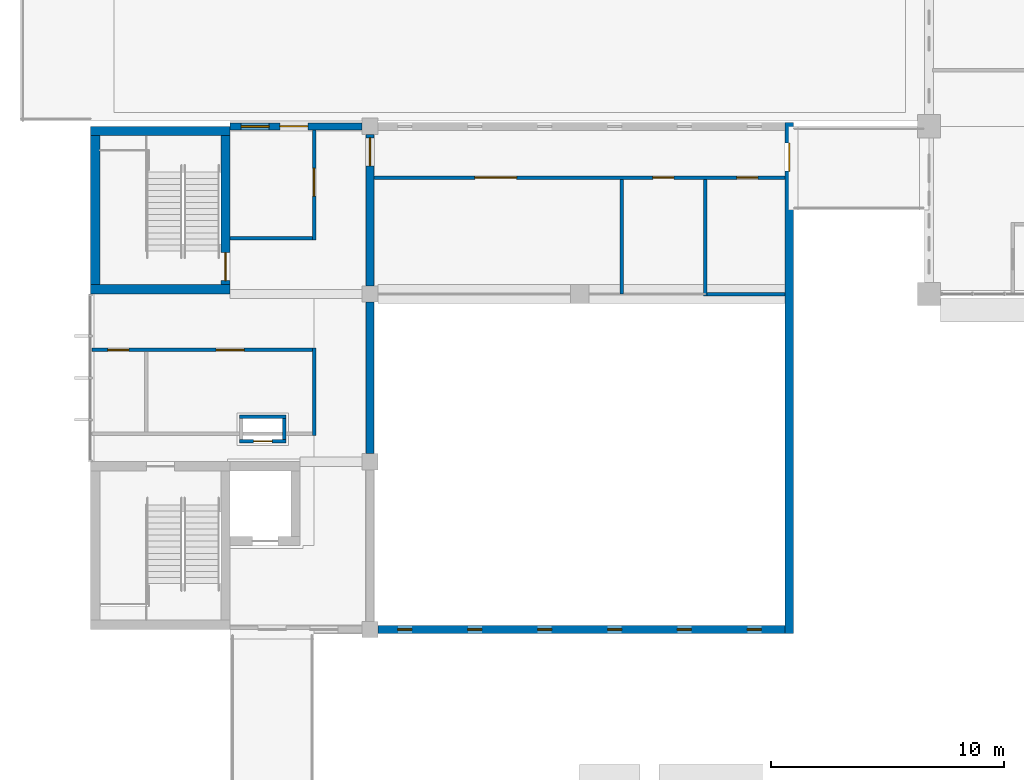
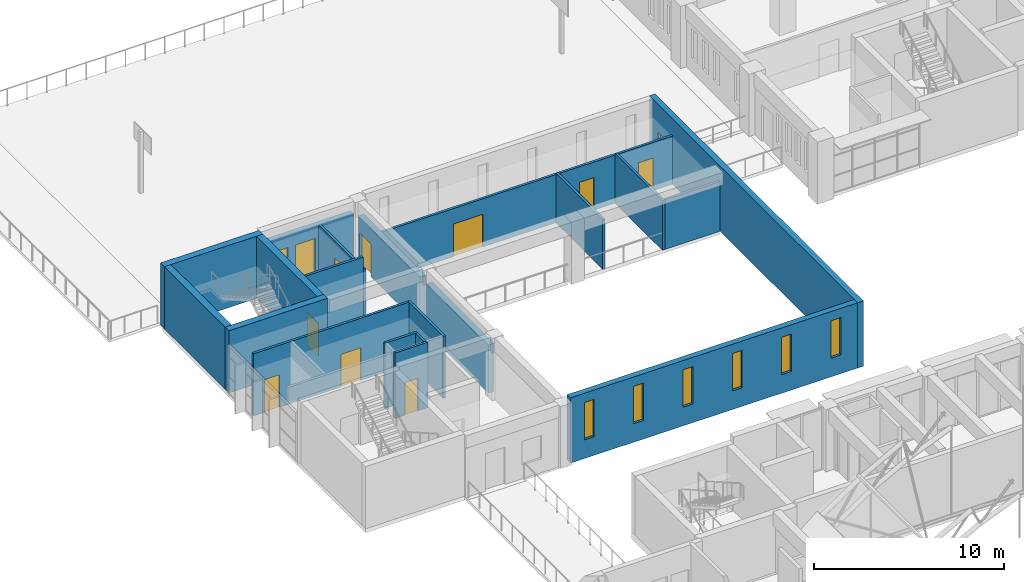
# One storey, part 72 of 101: 20 walls, 11 doors, 7 windows, 18 openings.
"""IFC4 building model written with IfcOpenShell, lengths in metres."""

from ifc_helpers import new_model, si_unit, direction, frame, frame_2d, origin, place, context, subcontext, project, spatial, rectangle, extrude, material, layer, layer_set, type_object, element, fill, save


model = new_model("IFC4")

# Units and contexts
model_context = context("Model", 3, precision=1e-05, world=origin(), true_north=direction((0.0, 1.0)))
body_context = subcontext(model_context, "Body", "Model", "MODEL_VIEW")
ifc_project = project(units=[si_unit("LENGTHUNIT", "METRE"), si_unit("AREAUNIT", "SQUARE_METRE"), si_unit("VOLUMEUNIT", "CUBIC_METRE"), si_unit("PLANEANGLEUNIT", "RADIAN"), si_unit("MASSUNIT", "GRAM", prefix="KILO")], contexts=[model_context])

# Site, building, storey
site_placement = place(None, origin())
site = spatial("IfcSite", under=ifc_project, at=site_placement, CompositionType="ELEMENT")
building_placement = place(site_placement, origin())
building = spatial("IfcBuilding", under=site, at=building_placement, Name="Laocheng Heights Fire and Rescue Headquarters", CompositionType="ELEMENT")
storey_placement = place(building_placement, frame((0.0, 0.0, 8.39990234375)))
storey = spatial("IfcBuildingStorey", under=building, at=storey_placement, Name="L02", CompositionType="ELEMENT", Elevation=8.39990234375)

# Wall
ifc_material_1 = material(Name="Gypsum plaster")
ifc_layer_1 = layer(ifc_material_1, 0.010009765625, Name="PLASTER", Category="plaster")
ifc_material_2 = material(Name="Concrete blockwork MU10", Category="masonry")
ifc_layer_2 = layer(ifc_material_2, 0.1298828125, Name="BLOCKWORK", Category="masonry")
ifc_layer_3 = layer(ifc_material_1, 0.010009765625, Name="PLASTER", Category="plaster")
ifc_layer_set_1 = layer_set([ifc_layer_1, ifc_layer_2, ifc_layer_3], Name="Concrete blockwork MU10")
wall_type_1 = type_object("IfcWallType", Name="BLOCKWORK CORRIDOR WALL 150 EI 60 PAVILION", PredefinedType="PARTITIONING", material=ifc_layer_set_1)
wall_1_placement = place(storey_placement, frame((9.60009765625, 44.324951171875, 0.0), z_axis=(0.0, 0.0, 1.0), x_axis=(0.0, 1.0, 0.0)))
element("IfcWall", 1, at=wall_1_placement, inside=storey, type_object=wall_type_1, Name="Partition L02-002", PredefinedType="PARTITIONING", context=body_context, shape_type="SweptSolid", body=[
    extrude(rectangle(XDim=3.75, YDim=0.14990234375, at=frame_2d((1.875, 0.0))), origin(), (0.0, 0.0, 1.0), 4.0),
])

# Wall, opening, door
wall_2_placement = place(storey_placement, frame((9.60009765625, 52.72509765625, 0.0), z_axis=(0.0, 0.0, 1.0), x_axis=(0.0, 1.0, 0.0)))
wall_2 = element("IfcWall", 2, at=wall_2_placement, inside=storey, type_object=wall_type_1, Name="Partition L02-003", PredefinedType="PARTITIONING", context=body_context, shape_type="SweptSolid", body=[
    extrude(rectangle(XDim=4.724853515625, YDim=0.14990234375, at=frame_2d((2.3623046875, 0.0))), origin(), (0.0, 0.0, 1.0), 3.2001953125),
])
opening_1_placement = place(wall_2_placement, frame((1.875, 0.0, 0.0)))
opening_1 = element("IfcOpeningElement", 3, at=opening_1_placement, cuts=wall_2, Name="Opening L02-P01", PredefinedType="OPENING", context=body_context, shape_type="SweptSolid", body=[
    extrude(rectangle(XDim=1.199951171875, YDim=2.10009765625, at=frame_2d((0.60009765625, 1.050048828125))), frame((0.0, 0.0849609375, 0.0), z_axis=(0.0, -1.0, 0.0), x_axis=(1.0, 0.0, 0.0)), (0.0, 0.0, 1.0), 0.169921875),
])
ifc_material_3 = material(Name="Timber door leaf, veneered", Category="wood")
door_type_1 = type_object("IfcDoorType", Name="TIMBER DOOR 1200x2100 EI 30 PAVILION", OperationType="SINGLE_SWING_LEFT", PredefinedType="DOOR", material=ifc_material_3)
door_1_placement = place(opening_1_placement, frame((1.199951171875, 0.0, 0.0), z_axis=(0.0, 0.0, 1.0), x_axis=(-1.0, 0.0, 0.0)))
door_1 = element("IfcDoor", 4, at=door_1_placement, inside=storey, type_object=door_type_1, Name="Door L02-P01", OperationType="SINGLE_SWING_LEFT", OverallHeight=2.10009765625, OverallWidth=1.199951171875, PredefinedType="DOOR", context=body_context, shape_type="SweptSolid", body=[
    extrude(rectangle(XDim=1.199951171875, YDim=2.10009765625, at=frame_2d((0.60009765625, 1.050048828125))), frame((0.0, 0.02490234375, 0.0), z_axis=(0.0, -1.0, 0.0), x_axis=(1.0, 0.0, 0.0)), (0.0, 0.0, 1.0), 0.050048828125),
])
fill(opening_1, door_1)

# Walls
wall_3_placement = place(storey_placement, frame((22.800048828125, 50.39990234375, 0.0), z_axis=(0.0, 0.0, 1.0), x_axis=(0.0, 1.0, 0.0)))
element("IfcWall", 5, at=wall_3_placement, inside=storey, type_object=wall_type_1, Name="Partition L02-004", PredefinedType="PARTITIONING", context=body_context, shape_type="SweptSolid", body=[
    extrude(rectangle(XDim=4.925048828125, YDim=0.14990234375, at=frame_2d((2.46240234375, 0.0))), origin(), (0.0, 0.0, 1.0), 3.2001953125),
])
wall_4_placement = place(storey_placement, frame((26.39990234375, 50.324951171875, 0.0), z_axis=(0.0, 0.0, 1.0), x_axis=(0.0, 1.0, 0.0)))
element("IfcWall", 6, at=wall_4_placement, inside=storey, type_object=wall_type_1, Name="Partition L02-005", PredefinedType="PARTITIONING", context=body_context, shape_type="SweptSolid", body=[
    extrude(rectangle(XDim=5.0, YDim=0.14990234375, at=frame_2d((2.5, 0.0))), origin(), (0.0, 0.0, 1.0), 3.2001953125),
])

# Wall, openings, doors
wall_5_placement = place(storey_placement, frame((0.074951171875, 48.0, 0.0), z_axis=(0.0, 0.0, 1.0), x_axis=(1.0, 0.0, 0.0)))
wall_5 = element("IfcWall", 7, at=wall_5_placement, inside=storey, type_object=wall_type_1, Name="Partition L02-007", PredefinedType="PARTITIONING", context=body_context, shape_type="SweptSolid", body=[
    extrude(rectangle(XDim=9.449951171875, YDim=0.14990234375, at=frame_2d((4.72509765625, 0.0))), origin(), (0.0, 0.0, 1.0), 4.0),
])
opening_2_placement = place(wall_5_placement, frame((0.675048828125, 0.0, 0.0)))
opening_2 = element("IfcOpeningElement", 8, at=opening_2_placement, cuts=wall_5, Name="Opening L02-P03", PredefinedType="OPENING", context=body_context, shape_type="SweptSolid", body=[
    extrude(rectangle(XDim=0.89990234375, YDim=2.10009765625, at=frame_2d((0.449951171875, 1.050048828125))), frame((0.0, 0.0849609375, 0.0), z_axis=(0.0, -1.0, 0.0), x_axis=(1.0, 0.0, 0.0)), (0.0, 0.0, 1.0), 0.169921875),
])
opening_3_placement = place(wall_5_placement, frame((5.324951171875, 0.0, 0.0)))
opening_3 = element("IfcOpeningElement", 9, at=opening_3_placement, cuts=wall_5, Name="Opening L02-P04", PredefinedType="OPENING", context=body_context, shape_type="SweptSolid", body=[
    extrude(rectangle(XDim=1.199951171875, YDim=2.10009765625, at=frame_2d((0.60009765625, 1.050048828125))), frame((0.0, 0.0849609375, 0.0), z_axis=(0.0, -1.0, 0.0), x_axis=(1.0, 0.0, 0.0)), (0.0, 0.0, 1.0), 0.169921875),
])
door_2_placement = place(opening_3_placement, origin())
door_2 = element("IfcDoor", 10, at=door_2_placement, inside=storey, type_object=door_type_1, Name="Door L02-P04", OperationType="SINGLE_SWING_LEFT", OverallHeight=2.10009765625, OverallWidth=1.199951171875, PredefinedType="DOOR", context=body_context, shape_type="SweptSolid", body=[
    extrude(rectangle(XDim=1.199951171875, YDim=2.10009765625, at=frame_2d((0.60009765625, 1.050048828125))), frame((0.0, 0.02490234375, 0.0), z_axis=(0.0, -1.0, 0.0), x_axis=(1.0, 0.0, 0.0)), (0.0, 0.0, 1.0), 0.050048828125),
])
fill(opening_3, door_2)
ifc_material_4 = material(Name="Timber door leaf, veneered", Category="wood")
door_type_2 = type_object("IfcDoorType", Name="TIMBER DOOR 900x2100 EI 30 PAVILION", OperationType="SINGLE_SWING_LEFT", PredefinedType="DOOR", material=ifc_material_4)
door_3_placement = place(opening_2_placement, frame((0.89990234375, 0.0, 0.0), z_axis=(0.0, 0.0, 1.0), x_axis=(-1.0, 0.0, 0.0)))
door_3 = element("IfcDoor", 11, at=door_3_placement, inside=storey, type_object=door_type_2, Name="Door L02-P03", OperationType="SINGLE_SWING_LEFT", OverallHeight=2.10009765625, OverallWidth=0.89990234375, PredefinedType="DOOR", context=body_context, shape_type="SweptSolid", body=[
    extrude(rectangle(XDim=0.89990234375, YDim=2.10009765625, at=frame_2d((0.449951171875, 1.050048828125))), frame((0.0, 0.02490234375, 0.0), z_axis=(0.0, -1.0, 0.0), x_axis=(1.0, 0.0, 0.0)), (0.0, 0.0, 1.0), 0.050048828125),
])
fill(opening_2, door_3)

# Walls
wall_6_placement = place(storey_placement, frame((26.47509765625, 50.39990234375, 0.0), z_axis=(0.0, 0.0, 1.0), x_axis=(1.0, 0.0, 0.0)))
element("IfcWall", 12, at=wall_6_placement, inside=storey, type_object=wall_type_1, Name="Partition L02-008", PredefinedType="PARTITIONING", context=body_context, shape_type="SweptSolid", body=[
    extrude(rectangle(XDim=3.349853515625, YDim=0.14990234375, at=frame_2d((1.6748046875, 0.0))), origin(), (0.0, 0.0, 1.0), 3.2001953125),
])
wall_7_placement = place(storey_placement, frame((6.0, 52.800048828125, 0.0), z_axis=(0.0, 0.0, 1.0), x_axis=(1.0, 0.0, 0.0)))
element("IfcWall", 13, at=wall_7_placement, inside=storey, type_object=wall_type_1, Name="Partition L02-009", PredefinedType="PARTITIONING", context=body_context, shape_type="SweptSolid", body=[
    extrude(rectangle(XDim=3.52490234375, YDim=0.14990234375, at=frame_2d((1.762451171875, 0.0))), origin(), (0.0, 0.0, 1.0), 4.0),
])

# Wall, openings, doors
wall_8_placement = place(storey_placement, frame((12.175048828125, 55.39990234375, 0.0), z_axis=(0.0, 0.0, 1.0), x_axis=(1.0, 0.0, 0.0)))
wall_8 = element("IfcWall", 14, at=wall_8_placement, inside=storey, type_object=wall_type_1, Name="Partition L02-010", PredefinedType="PARTITIONING", context=body_context, shape_type="SweptSolid", body=[
    extrude(rectangle(XDim=17.64990234375, YDim=0.14990234375, at=frame_2d((8.824951171875, 0.0))), origin(), (0.0, 0.0, 1.0), 3.10009765625),
])
opening_4_placement = place(wall_8_placement, frame((4.324951171875, 0.0, 0.0)))
opening_4 = element("IfcOpeningElement", 15, at=opening_4_placement, cuts=wall_8, Name="Opening L02-P05", PredefinedType="OPENING", context=body_context, shape_type="SweptSolid", body=[
    extrude(rectangle(XDim=1.800048828125, YDim=2.10009765625, at=frame_2d((0.89990234375, 1.050048828125))), frame((0.0, 0.0849609375, 0.0), z_axis=(0.0, -1.0, 0.0), x_axis=(1.0, 0.0, 0.0)), (0.0, 0.0, 1.0), 0.169921875),
])
opening_5_placement = place(wall_8_placement, frame((11.97509765625, 0.0, 0.0)))
opening_5 = element("IfcOpeningElement", 16, at=opening_5_placement, cuts=wall_8, Name="Opening L02-P06", PredefinedType="OPENING", context=body_context, shape_type="SweptSolid", body=[
    extrude(rectangle(XDim=0.89990234375, YDim=2.10009765625, at=frame_2d((0.449951171875, 1.050048828125))), frame((0.0, 0.0849609375, 0.0), z_axis=(0.0, -1.0, 0.0), x_axis=(1.0, 0.0, 0.0)), (0.0, 0.0, 1.0), 0.169921875),
])
opening_6_placement = place(wall_8_placement, frame((15.574951171875, 0.0, 0.0)))
opening_6 = element("IfcOpeningElement", 17, at=opening_6_placement, cuts=wall_8, Name="Opening L02-P07", PredefinedType="OPENING", context=body_context, shape_type="SweptSolid", body=[
    extrude(rectangle(XDim=0.89990234375, YDim=2.10009765625, at=frame_2d((0.449951171875, 1.050048828125))), frame((0.0, 0.0849609375, 0.0), z_axis=(0.0, -1.0, 0.0), x_axis=(1.0, 0.0, 0.0)), (0.0, 0.0, 1.0), 0.169921875),
])
ifc_material_5 = material(Name="Timber door leaf, veneered", Category="wood")
door_type_3 = type_object("IfcDoorType", Name="TIMBER DOOR 1800x2100 EI 30 PAVILION", OperationType="DOUBLE_DOOR_SINGLE_SWING", PredefinedType="DOOR", material=ifc_material_5)
door_4_placement = place(opening_4_placement, frame((1.800048828125, 0.0, 0.0), z_axis=(0.0, 0.0, 1.0), x_axis=(-1.0, 0.0, 0.0)))
door_4 = element("IfcDoor", 18, at=door_4_placement, inside=storey, type_object=door_type_3, Name="Door L02-P05", OperationType="DOUBLE_DOOR_SINGLE_SWING", OverallHeight=2.10009765625, OverallWidth=1.800048828125, PredefinedType="DOOR", context=body_context, shape_type="SweptSolid", body=[
    extrude(rectangle(XDim=1.800048828125, YDim=2.10009765625, at=frame_2d((0.89990234375, 1.050048828125))), frame((0.0, 0.02490234375, 0.0), z_axis=(0.0, -1.0, 0.0), x_axis=(1.0, 0.0, 0.0)), (0.0, 0.0, 1.0), 0.050048828125),
])
fill(opening_4, door_4)
door_5_placement = place(opening_5_placement, frame((0.89990234375, 0.0, 0.0), z_axis=(0.0, 0.0, 1.0), x_axis=(-1.0, 0.0, 0.0)))
door_5 = element("IfcDoor", 19, at=door_5_placement, inside=storey, type_object=door_type_2, Name="Door L02-P06", OperationType="SINGLE_SWING_RIGHT", OverallHeight=2.10009765625, OverallWidth=0.89990234375, PredefinedType="DOOR", context=body_context, shape_type="SweptSolid", body=[
    extrude(rectangle(XDim=0.89990234375, YDim=2.10009765625, at=frame_2d((0.449951171875, 1.050048828125))), frame((0.0, 0.02490234375, 0.0), z_axis=(0.0, -1.0, 0.0), x_axis=(1.0, 0.0, 0.0)), (0.0, 0.0, 1.0), 0.050048828125),
])
fill(opening_5, door_5)
door_6_placement = place(opening_6_placement, frame((0.89990234375, 0.0, 0.0), z_axis=(0.0, 0.0, 1.0), x_axis=(-1.0, 0.0, 0.0)))
door_6 = element("IfcDoor", 20, at=door_6_placement, inside=storey, type_object=door_type_2, Name="Door L02-P07", OperationType="SINGLE_SWING_LEFT", OverallHeight=2.10009765625, OverallWidth=0.89990234375, PredefinedType="DOOR", context=body_context, shape_type="SweptSolid", body=[
    extrude(rectangle(XDim=0.89990234375, YDim=2.10009765625, at=frame_2d((0.449951171875, 1.050048828125))), frame((0.0, 0.02490234375, 0.0), z_axis=(0.0, -1.0, 0.0), x_axis=(1.0, 0.0, 0.0)), (0.0, 0.0, 1.0), 0.050048828125),
])
fill(opening_6, door_6)

# Wall, openings, door, window
ifc_material_6 = material(Name="Precast concrete C40/50", Category="concrete")
ifc_layer_4 = layer(ifc_material_6, 0.300048828125)
ifc_layer_set_2 = layer_set([ifc_layer_4], Name="Precast concrete C40/50")
wall_type_2 = type_object("IfcWallType", Name="PRECAST WALL PANEL FOYER 300", PredefinedType="SOLIDWALL", material=ifc_layer_set_2)
wall_9_placement = place(storey_placement, frame((6.0, 57.60009765625, 0.0), z_axis=(0.0, 0.0, 1.0), x_axis=(1.0, 0.0, 0.0)))
wall_9 = element("IfcWall", 21, at=wall_9_placement, inside=storey, type_object=wall_type_2, Name="PRECAST WALL PANEL FOYER FOYER NORTH L02", PredefinedType="SOLIDWALL", context=body_context, shape_type="SweptSolid", body=[
    extrude(rectangle(XDim=5.64990234375, YDim=0.300048828125, at=frame_2d((2.824951171875, 0.0))), origin(), (0.0, 0.0, 1.0), 3.2001953125),
])
opening_7_placement = place(wall_9_placement, frame((2.1298828125, 0.0, 0.0)))
opening_7 = element("IfcOpeningElement", 22, at=opening_7_placement, cuts=wall_9, Name="Opening L02-V02", PredefinedType="OPENING", context=body_context, shape_type="SweptSolid", body=[
    extrude(rectangle(XDim=1.199951171875, YDim=2.39990234375, at=frame_2d((0.60009765625, 1.199951171875))), frame((0.0, 0.159912109375, 0.0), z_axis=(0.0, -1.0, 0.0), x_axis=(1.0, 0.0, 0.0)), (0.0, 0.0, 1.0), 0.320068359375),
])
opening_8_placement = place(wall_9_placement, frame((0.465087890625, 0.0, 0.89990234375)))
opening_8 = element("IfcOpeningElement", 23, at=opening_8_placement, cuts=wall_9, Name="Opening N1-V", PredefinedType="OPENING", context=body_context, shape_type="SweptSolid", body=[
    extrude(rectangle(XDim=1.199951171875, YDim=1.5, at=frame_2d((0.60009765625, 0.75))), frame((0.0, 0.159912109375, 0.0), z_axis=(0.0, -1.0, 0.0), x_axis=(1.0, 0.0, 0.0)), (0.0, 0.0, 1.0), 0.320068359375),
])
ifc_material_7 = material(Name="Dark anodised aluminium framed glazed door, low-e glazing", Category="aluminium")
door_type_4 = type_object("IfcDoorType", Name="FOYER GARDEN DOOR 1200 x 2400", OperationType="SINGLE_SWING_LEFT", PredefinedType="DOOR", material=ifc_material_7)
door_7_placement = place(opening_7_placement, origin())
door_7 = element("IfcDoor", 24, at=door_7_placement, inside=storey, type_object=door_type_4, Name="FOYER GARDEN DOOR FOYER NORTH L02", OperationType="SINGLE_SWING_LEFT", OverallHeight=2.39990234375, OverallWidth=1.199951171875, PredefinedType="DOOR", context=body_context, shape_type="SweptSolid", body=[
    extrude(rectangle(XDim=1.199951171875, YDim=2.39990234375, at=frame_2d((0.60009765625, 1.199951171875))), frame((0.0, 0.02490234375, 0.0), z_axis=(0.0, -1.0, 0.0), x_axis=(1.0, 0.0, 0.0)), (0.0, 0.0, 1.0), 0.050048828125),
])
fill(opening_7, door_7)
ifc_material_8 = material(Name="Low-e double glazing in aluminium frame", Category="aluminium")
window_type_1 = type_object("IfcWindowType", Name="WINDOW 1200 x 1500 FOYER ALUMINIUM", PartitioningType="SINGLE_PANEL", PredefinedType="WINDOW", material=ifc_material_8)
window_1_placement = place(opening_8_placement, origin())
window_1 = element("IfcWindow", 25, at=window_1_placement, inside=storey, type_object=window_type_1, Name="FOYER ALUMINIUM FOYER NORTH L02", OverallHeight=1.5, OverallWidth=1.199951171875, PartitioningType="SINGLE_PANEL", PredefinedType="WINDOW", context=body_context, shape_type="SweptSolid", body=[
    extrude(rectangle(XDim=1.199951171875, YDim=1.5, at=frame_2d((0.60009765625, 0.75))), frame((0.0, 0.030029296875, 0.0), z_axis=(0.0, -1.0, 0.0), x_axis=(1.0, 0.0, 0.0)), (0.0, 0.0, 1.0), 0.06005859375),
])
fill(opening_8, window_1)

# Wall, opening, door
ifc_material_9 = material(Name="Concrete C40", Category="concrete")
ifc_layer_5 = layer(ifc_material_9, 0.35009765625)
ifc_layer_set_3 = layer_set([ifc_layer_5], Name="Concrete C40")
wall_type_3 = type_object("IfcWallType", Name="RC SHEAR WALL 350 THEATRE", PredefinedType="SHEAR", material=ifc_layer_set_3)
wall_10_placement = place(storey_placement, frame((30.0, 35.824951171875, 0.0), z_axis=(0.0, 0.0, 1.0), x_axis=(0.0, 1.0, 0.0)))
wall_10 = element("IfcWall", 26, at=wall_10_placement, inside=storey, type_object=wall_type_3, Name="Theatre east wall L02", PredefinedType="SHEAR", context=body_context, shape_type="SweptSolid", body=[
    extrude(rectangle(XDim=21.949951171875, YDim=0.35009765625, at=frame_2d((10.97509765625, 0.0))), origin(), (0.0, 0.0, 1.0), 4.2001953125),
])
opening_9_placement = place(wall_10_placement, frame((19.85498046875, 0.0, 0.0)))
opening_9 = element("IfcOpeningElement", 27, at=opening_9_placement, cuts=wall_10, Name="Opening L02-V03", PredefinedType="OPENING", context=body_context, shape_type="SweptSolid", body=[
    extrude(rectangle(XDim=1.199951171875, YDim=2.39990234375, at=frame_2d((0.60009765625, 1.199951171875))), frame((0.0, 0.18505859375, 0.0), z_axis=(0.0, -1.0, 0.0), x_axis=(1.0, 0.0, 0.0)), (0.0, 0.0, 1.0), 0.3701171875),
])
ifc_material_10 = material(Name="Dark anodised aluminium framed glazed door, low-e glazing", Category="aluminium")
door_type_5 = type_object("IfcDoorType", Name="THEATRE BRIDGE DOOR 1200 x 2400", OperationType="SINGLE_SWING_LEFT", PredefinedType="DOOR", material=ifc_material_10)
door_8_placement = place(opening_9_placement, frame((1.199951171875, 0.0, 0.0), z_axis=(0.0, 0.0, 1.0), x_axis=(-1.0, 0.0, 0.0)))
door_8 = element("IfcDoor", 28, at=door_8_placement, inside=storey, type_object=door_type_5, Name="THEATRE BRIDGE DOOR THEATRE EAST L02", OperationType="SINGLE_SWING_RIGHT", OverallHeight=2.39990234375, OverallWidth=1.199951171875, PredefinedType="DOOR", context=body_context, shape_type="SweptSolid", body=[
    extrude(rectangle(XDim=1.199951171875, YDim=2.39990234375, at=frame_2d((0.60009765625, 1.199951171875))), frame((0.0, 0.02490234375, 0.0), z_axis=(0.0, -1.0, 0.0), x_axis=(1.0, 0.0, 0.0)), (0.0, 0.0, 1.0), 0.050048828125),
])
fill(opening_9, door_8)

# Wall
wall_11_placement = place(storey_placement, frame((12.0, 43.550048828125, 0.0), z_axis=(0.0, 0.0, 1.0), x_axis=(0.0, 1.0, 0.0)))
element("IfcWall", 29, at=wall_11_placement, inside=storey, type_object=wall_type_3, Name="Theatre west wall L02", PredefinedType="SHEAR", context=body_context, shape_type="SweptSolid", body=[
    extrude(rectangle(XDim=6.5, YDim=0.35009765625, at=frame_2d((3.25, 0.0))), origin(), (0.0, 0.0, 1.0), 3.10009765625),
])

# Wall, opening, door
wall_12_placement = place(storey_placement, frame((12.0, 50.75, 0.0), z_axis=(0.0, 0.0, 1.0), x_axis=(0.0, 1.0, 0.0)))
wall_12 = element("IfcWall", 30, at=wall_12_placement, inside=storey, type_object=wall_type_3, Name="Theatre west wall L02", PredefinedType="SHEAR", context=body_context, shape_type="SweptSolid", body=[
    extrude(rectangle(XDim=6.5, YDim=0.35009765625, at=frame_2d((3.25, 0.0))), origin(), (0.0, 0.0, 1.0), 3.10009765625),
])
opening_10_placement = place(wall_12_placement, frame((5.14990234375, 0.0, 0.0)))
opening_10 = element("IfcOpeningElement", 31, at=opening_10_placement, cuts=wall_12, Name="Opening L02-P02", PredefinedType="OPENING", context=body_context, shape_type="SweptSolid", body=[
    extrude(rectangle(XDim=1.199951171875, YDim=2.10009765625, at=frame_2d((0.60009765625, 1.050048828125))), frame((0.0, 0.18505859375, 0.0), z_axis=(0.0, -1.0, 0.0), x_axis=(1.0, 0.0, 0.0)), (0.0, 0.0, 1.0), 0.3701171875),
])
ifc_material_11 = material(Name="Steel door leaf, painted", Category="steel")
door_type_6 = type_object("IfcDoorType", Name="STEEL FIRE DOOR 1200x2100 EI 60 PAVILION", OperationType="SINGLE_SWING_LEFT", PredefinedType="DOOR", material=ifc_material_11)
door_9_placement = place(opening_10_placement, origin())
door_9 = element("IfcDoor", 32, at=door_9_placement, inside=storey, type_object=door_type_6, Name="Door L02-P02", OperationType="SINGLE_SWING_RIGHT", OverallHeight=2.10009765625, OverallWidth=1.199951171875, PredefinedType="DOOR", context=body_context, shape_type="SweptSolid", body=[
    extrude(rectangle(XDim=1.199951171875, YDim=2.10009765625, at=frame_2d((0.60009765625, 1.050048828125))), frame((0.0, 0.02490234375, 0.0), z_axis=(0.0, -1.0, 0.0), x_axis=(1.0, 0.0, 0.0)), (0.0, 0.0, 1.0), 0.050048828125),
])
fill(opening_10, door_9)

# Wall, openings, windows
wall_13_placement = place(storey_placement, frame((12.35009765625, 36.0, 0.0), z_axis=(0.0, 0.0, 1.0), x_axis=(1.0, 0.0, 0.0)))
wall_13 = element("IfcWall", 33, at=wall_13_placement, inside=storey, type_object=wall_type_3, Name="Theatre gable wall L02", PredefinedType="SHEAR", context=body_context, shape_type="SweptSolid", body=[
    extrude(rectangle(XDim=17.474853515625, YDim=0.35009765625, at=frame_2d((8.7373046875, 0.0))), origin(), (0.0, 0.0, 1.0), 4.2001953125),
])
opening_11_placement = place(wall_13_placement, frame((0.85009765625, 0.0, 1.199951171875)))
opening_11 = element("IfcOpeningElement", 34, at=opening_11_placement, cuts=wall_13, Name="Opening N2-V", PredefinedType="OPENING", context=body_context, shape_type="SweptSolid", body=[
    extrude(rectangle(XDim=0.60009765625, YDim=2.39990234375, at=frame_2d((0.300048828125, 1.199951171875))), frame((0.0, 0.18505859375, 0.0), z_axis=(0.0, -1.0, 0.0), x_axis=(1.0, 0.0, 0.0)), (0.0, 0.0, 1.0), 0.3701171875),
])
opening_12_placement = place(wall_13_placement, frame((3.85009765625, 0.0, 1.199951171875)))
opening_12 = element("IfcOpeningElement", 35, at=opening_12_placement, cuts=wall_13, Name="Opening N2-V", PredefinedType="OPENING", context=body_context, shape_type="SweptSolid", body=[
    extrude(rectangle(XDim=0.60009765625, YDim=2.39990234375, at=frame_2d((0.300048828125, 1.199951171875))), frame((0.0, 0.18505859375, 0.0), z_axis=(0.0, -1.0, 0.0), x_axis=(1.0, 0.0, 0.0)), (0.0, 0.0, 1.0), 0.3701171875),
])
opening_13_placement = place(wall_13_placement, frame((6.85009765625, 0.0, 1.199951171875)))
opening_13 = element("IfcOpeningElement", 36, at=opening_13_placement, cuts=wall_13, Name="Opening N2-V", PredefinedType="OPENING", context=body_context, shape_type="SweptSolid", body=[
    extrude(rectangle(XDim=0.60009765625, YDim=2.39990234375, at=frame_2d((0.300048828125, 1.199951171875))), frame((0.0, 0.18505859375, 0.0), z_axis=(0.0, -1.0, 0.0), x_axis=(1.0, 0.0, 0.0)), (0.0, 0.0, 1.0), 0.3701171875),
])
opening_14_placement = place(wall_13_placement, frame((9.85009765625, 0.0, 1.199951171875)))
opening_14 = element("IfcOpeningElement", 37, at=opening_14_placement, cuts=wall_13, Name="Opening N2-V", PredefinedType="OPENING", context=body_context, shape_type="SweptSolid", body=[
    extrude(rectangle(XDim=0.60009765625, YDim=2.39990234375, at=frame_2d((0.300048828125, 1.199951171875))), frame((0.0, 0.18505859375, 0.0), z_axis=(0.0, -1.0, 0.0), x_axis=(1.0, 0.0, 0.0)), (0.0, 0.0, 1.0), 0.3701171875),
])
opening_15_placement = place(wall_13_placement, frame((12.85009765625, 0.0, 1.199951171875)))
opening_15 = element("IfcOpeningElement", 38, at=opening_15_placement, cuts=wall_13, Name="Opening N2-V", PredefinedType="OPENING", context=body_context, shape_type="SweptSolid", body=[
    extrude(rectangle(XDim=0.60009765625, YDim=2.39990234375, at=frame_2d((0.300048828125, 1.199951171875))), frame((0.0, 0.18505859375, 0.0), z_axis=(0.0, -1.0, 0.0), x_axis=(1.0, 0.0, 0.0)), (0.0, 0.0, 1.0), 0.3701171875),
])
opening_16_placement = place(wall_13_placement, frame((15.85009765625, 0.0, 1.199951171875)))
opening_16 = element("IfcOpeningElement", 39, at=opening_16_placement, cuts=wall_13, Name="Opening N2-V", PredefinedType="OPENING", context=body_context, shape_type="SweptSolid", body=[
    extrude(rectangle(XDim=0.60009765625, YDim=2.39990234375, at=frame_2d((0.300048828125, 1.199951171875))), frame((0.0, 0.18505859375, 0.0), z_axis=(0.0, -1.0, 0.0), x_axis=(1.0, 0.0, 0.0)), (0.0, 0.0, 1.0), 0.3701171875),
])
ifc_material_12 = material(Name="Low-e double glazing in aluminium frame", Category="aluminium")
window_type_2 = type_object("IfcWindowType", Name="WINDOW 600 x 2400 THEATRE SLOT", PartitioningType="SINGLE_PANEL", PredefinedType="WINDOW", material=ifc_material_12)
window_2_placement = place(opening_11_placement, origin())
window_2 = element("IfcWindow", 40, at=window_2_placement, inside=storey, type_object=window_type_2, Name="THEATRE SLOT L02", OverallHeight=2.39990234375, OverallWidth=0.60009765625, PartitioningType="SINGLE_PANEL", PredefinedType="WINDOW", context=body_context, shape_type="SweptSolid", body=[
    extrude(rectangle(XDim=0.60009765625, YDim=2.39990234375, at=frame_2d((0.300048828125, 1.199951171875))), frame((0.0, 0.030029296875, 0.0), z_axis=(0.0, -1.0, 0.0), x_axis=(1.0, 0.0, 0.0)), (0.0, 0.0, 1.0), 0.06005859375),
])
fill(opening_11, window_2)
window_3_placement = place(opening_12_placement, origin())
window_3 = element("IfcWindow", 41, at=window_3_placement, inside=storey, type_object=window_type_2, Name="THEATRE SLOT L02", OverallHeight=2.39990234375, OverallWidth=0.60009765625, PartitioningType="SINGLE_PANEL", PredefinedType="WINDOW", context=body_context, shape_type="SweptSolid", body=[
    extrude(rectangle(XDim=0.60009765625, YDim=2.39990234375, at=frame_2d((0.300048828125, 1.199951171875))), frame((0.0, 0.030029296875, 0.0), z_axis=(0.0, -1.0, 0.0), x_axis=(1.0, 0.0, 0.0)), (0.0, 0.0, 1.0), 0.06005859375),
])
fill(opening_12, window_3)
window_4_placement = place(opening_13_placement, origin())
window_4 = element("IfcWindow", 42, at=window_4_placement, inside=storey, type_object=window_type_2, Name="THEATRE SLOT L02", OverallHeight=2.39990234375, OverallWidth=0.60009765625, PartitioningType="SINGLE_PANEL", PredefinedType="WINDOW", context=body_context, shape_type="SweptSolid", body=[
    extrude(rectangle(XDim=0.60009765625, YDim=2.39990234375, at=frame_2d((0.300048828125, 1.199951171875))), frame((0.0, 0.030029296875, 0.0), z_axis=(0.0, -1.0, 0.0), x_axis=(1.0, 0.0, 0.0)), (0.0, 0.0, 1.0), 0.06005859375),
])
fill(opening_13, window_4)
window_5_placement = place(opening_14_placement, origin())
window_5 = element("IfcWindow", 43, at=window_5_placement, inside=storey, type_object=window_type_2, Name="THEATRE SLOT L02", OverallHeight=2.39990234375, OverallWidth=0.60009765625, PartitioningType="SINGLE_PANEL", PredefinedType="WINDOW", context=body_context, shape_type="SweptSolid", body=[
    extrude(rectangle(XDim=0.60009765625, YDim=2.39990234375, at=frame_2d((0.300048828125, 1.199951171875))), frame((0.0, 0.030029296875, 0.0), z_axis=(0.0, -1.0, 0.0), x_axis=(1.0, 0.0, 0.0)), (0.0, 0.0, 1.0), 0.06005859375),
])
fill(opening_14, window_5)
window_6_placement = place(opening_15_placement, origin())
window_6 = element("IfcWindow", 44, at=window_6_placement, inside=storey, type_object=window_type_2, Name="THEATRE SLOT L02", OverallHeight=2.39990234375, OverallWidth=0.60009765625, PartitioningType="SINGLE_PANEL", PredefinedType="WINDOW", context=body_context, shape_type="SweptSolid", body=[
    extrude(rectangle(XDim=0.60009765625, YDim=2.39990234375, at=frame_2d((0.300048828125, 1.199951171875))), frame((0.0, 0.030029296875, 0.0), z_axis=(0.0, -1.0, 0.0), x_axis=(1.0, 0.0, 0.0)), (0.0, 0.0, 1.0), 0.06005859375),
])
fill(opening_15, window_6)
window_7_placement = place(opening_16_placement, origin())
window_7 = element("IfcWindow", 45, at=window_7_placement, inside=storey, type_object=window_type_2, Name="THEATRE SLOT L02", OverallHeight=2.39990234375, OverallWidth=0.60009765625, PartitioningType="SINGLE_PANEL", PredefinedType="WINDOW", context=body_context, shape_type="SweptSolid", body=[
    extrude(rectangle(XDim=0.60009765625, YDim=2.39990234375, at=frame_2d((0.300048828125, 1.199951171875))), frame((0.0, 0.030029296875, 0.0), z_axis=(0.0, -1.0, 0.0), x_axis=(1.0, 0.0, 0.0)), (0.0, 0.0, 1.0), 0.06005859375),
])
fill(opening_16, window_7)

# Walls
ifc_material_13 = material(Name="Concrete C50", Category="concrete")
ifc_layer_6 = layer(ifc_material_13, 0.39990234375)
ifc_layer_set_4 = layer_set([ifc_layer_6], Name="Concrete C50")
wall_type_4 = type_object("IfcWallType", Name="RC STAIR ENCLOSURE WALL 400", PredefinedType="SHEAR", material=ifc_layer_set_4)
for number, where, z_axis, x_axis, name in (
    (46, (0.0, 50.60009765625, 0.0), (0.0, 0.0, 1.0), (1.0, 0.0, 0.0), "Stair enclosure wall"),
    (47, (0.0, 57.39990234375, 0.0), (0.0, 0.0, 1.0), (1.0, 0.0, 0.0), "Stair enclosure wall"),
):
    element("IfcWall", number, at=place(storey_placement, frame(where, z_axis=z_axis, x_axis=x_axis)), inside=storey, type_object=wall_type_4, Name=name, PredefinedType="SHEAR", context=body_context, shape_type="SweptSolid", body=[
        extrude(rectangle(XDim=6.0, YDim=0.39990234375, at=frame_2d((3.0, 0.0))), origin(), (0.0, 0.0, 1.0), 4.0),
    ])
wall_14_placement = place(storey_placement, frame((0.199951171875, 50.800048828125, 0.0), z_axis=(0.0, 0.0, 1.0), x_axis=(0.0, 1.0, 0.0)))
element("IfcWall", 48, at=wall_14_placement, inside=storey, type_object=wall_type_4, Name="Stair enclosure wall", PredefinedType="SHEAR", context=body_context, shape_type="SweptSolid", body=[
    extrude(rectangle(XDim=6.39990234375, YDim=0.39990234375, at=frame_2d((3.199951171875, 0.0))), origin(), (0.0, 0.0, 1.0), 4.0),
])

# Wall, opening, door
wall_15_placement = place(storey_placement, frame((5.800048828125, 50.800048828125, 0.0), z_axis=(0.0, 0.0, 1.0), x_axis=(0.0, 1.0, 0.0)))
wall_15 = element("IfcWall", 49, at=wall_15_placement, inside=storey, type_object=wall_type_4, Name="Stair enclosure wall", PredefinedType="SHEAR", context=body_context, shape_type="SweptSolid", body=[
    extrude(rectangle(XDim=6.39990234375, YDim=0.39990234375, at=frame_2d((3.199951171875, 0.0))), origin(), (0.0, 0.0, 1.0), 4.0),
])
opening_17_placement = place(wall_15_placement, frame((0.175048828125, 0.0, 0.0)))
opening_17 = element("IfcOpeningElement", 50, at=opening_17_placement, cuts=wall_15, Name="Opening L02-K15", PredefinedType="OPENING", context=body_context, shape_type="SweptSolid", body=[
    extrude(rectangle(XDim=1.199951171875, YDim=2.10009765625, at=frame_2d((0.60009765625, 1.050048828125))), frame((0.0, 0.2099609375, 0.0), z_axis=(0.0, -1.0, 0.0), x_axis=(1.0, 0.0, 0.0)), (0.0, 0.0, 1.0), 0.419921875),
])
ifc_material_14 = material(Name="Painted steel", Category="steel")
door_type_7 = type_object("IfcDoorType", Name="FIRE DOOR 1200x2100 EI 60", OperationType="SINGLE_SWING_LEFT", PredefinedType="DOOR", material=ifc_material_14)
door_10_placement = place(opening_17_placement, frame((1.199951171875, 0.0, 0.0), z_axis=(0.0, 0.0, 1.0), x_axis=(-1.0, 0.0, 0.0)))
door_10 = element("IfcDoor", 51, at=door_10_placement, inside=storey, type_object=door_type_7, Name="Stair P2 door", OperationType="SINGLE_SWING_LEFT", OverallHeight=2.10009765625, OverallWidth=1.199951171875, PredefinedType="DOOR", context=body_context, shape_type="SweptSolid", body=[
    extrude(rectangle(XDim=1.199951171875, YDim=2.10009765625, at=frame_2d((0.60009765625, 1.050048828125))), frame((0.0, 0.02490234375, 0.0), z_axis=(0.0, -1.0, 0.0), x_axis=(1.0, 0.0, 0.0)), (0.0, 0.0, 1.0), 0.050048828125),
])
fill(opening_17, door_10)

ifc_material_15 = material(Name="Concrete C30", Category="concrete")
ifc_layer_7 = layer(ifc_material_15, 0.14990234375)
ifc_layer_set_5 = layer_set([ifc_layer_7], Name="Concrete C30")
wall_type_5 = type_object("IfcWallType", Name="RISER SHAFT WALL 150", PredefinedType="SOLIDWALL", material=ifc_layer_set_5)
wall_16_placement = place(storey_placement, frame((6.39990234375, 44.074951171875, 0.0), z_axis=(0.0, 0.0, 1.0), x_axis=(1.0, 0.0, 0.0)))
wall_16 = element("IfcWall", 52, at=wall_16_placement, inside=storey, type_object=wall_type_5, Name="Riser shaft wall", PredefinedType="SOLIDWALL", context=body_context, shape_type="SweptSolid", body=[
    extrude(rectangle(XDim=2.0, YDim=0.14990234375, at=frame_2d((1.0, 0.0))), origin(), (0.0, 0.0, 1.0), 4.2001953125),
])
opening_18_placement = place(wall_16_placement, frame((0.60009765625, 0.0, 0.0)))
opening_18 = element("IfcOpeningElement", 53, at=opening_18_placement, cuts=wall_16, Name="Opening L02-K14", PredefinedType="OPENING", context=body_context, shape_type="SweptSolid", body=[
    extrude(rectangle(XDim=0.800048828125, YDim=2.10009765625, at=frame_2d((0.39990234375, 1.050048828125))), frame((0.0, 0.0849609375, 0.0), z_axis=(0.0, -1.0, 0.0), x_axis=(1.0, 0.0, 0.0)), (0.0, 0.0, 1.0), 0.169921875),
])
ifc_material_16 = material(Name="Painted steel", Category="steel")
door_type_8 = type_object("IfcDoorType", Name="RISER ACCESS DOOR 800x2100 EI 30", OperationType="SINGLE_SWING_LEFT", PredefinedType="DOOR", material=ifc_material_16)
door_11_placement = place(opening_18_placement, frame((0.800048828125, 0.0, 0.0), z_axis=(0.0, 0.0, 1.0), x_axis=(-1.0, 0.0, 0.0)))
door_11 = element("IfcDoor", 54, at=door_11_placement, inside=storey, type_object=door_type_8, Name="Riser RP1 access door", OperationType="SINGLE_SWING_RIGHT", OverallHeight=2.10009765625, OverallWidth=0.800048828125, PredefinedType="DOOR", context=body_context, shape_type="SweptSolid", body=[
    extrude(rectangle(XDim=0.800048828125, YDim=2.10009765625, at=frame_2d((0.39990234375, 1.050048828125))), frame((0.0, 0.02490234375, 0.0), z_axis=(0.0, -1.0, 0.0), x_axis=(1.0, 0.0, 0.0)), (0.0, 0.0, 1.0), 0.050048828125),
])
fill(opening_18, door_11)

# Walls
wall_17_placement = place(storey_placement, frame((6.39990234375, 45.125, 0.0), z_axis=(0.0, 0.0, 1.0), x_axis=(1.0, 0.0, 0.0)))
element("IfcWall", 55, at=wall_17_placement, inside=storey, type_object=wall_type_5, Name="Riser shaft wall", PredefinedType="SOLIDWALL", context=body_context, shape_type="SweptSolid", body=[
    extrude(rectangle(XDim=2.0, YDim=0.14990234375, at=frame_2d((1.0, 0.0))), origin(), (0.0, 0.0, 1.0), 4.2001953125),
])
wall_18_placement = place(storey_placement, frame((8.324951171875, 44.14990234375, 0.0), z_axis=(0.0, 0.0, 1.0), x_axis=(0.0, 1.0, 0.0)))
element("IfcWall", 56, at=wall_18_placement, inside=storey, type_object=wall_type_5, Name="Riser shaft wall", PredefinedType="SOLIDWALL", context=body_context, shape_type="SweptSolid", body=[
    extrude(rectangle(XDim=0.900146484375, YDim=0.14990234375, at=frame_2d((0.4501953125, 0.0))), origin(), (0.0, 0.0, 1.0), 4.2001953125),
])

save(model, "model.ifc")
